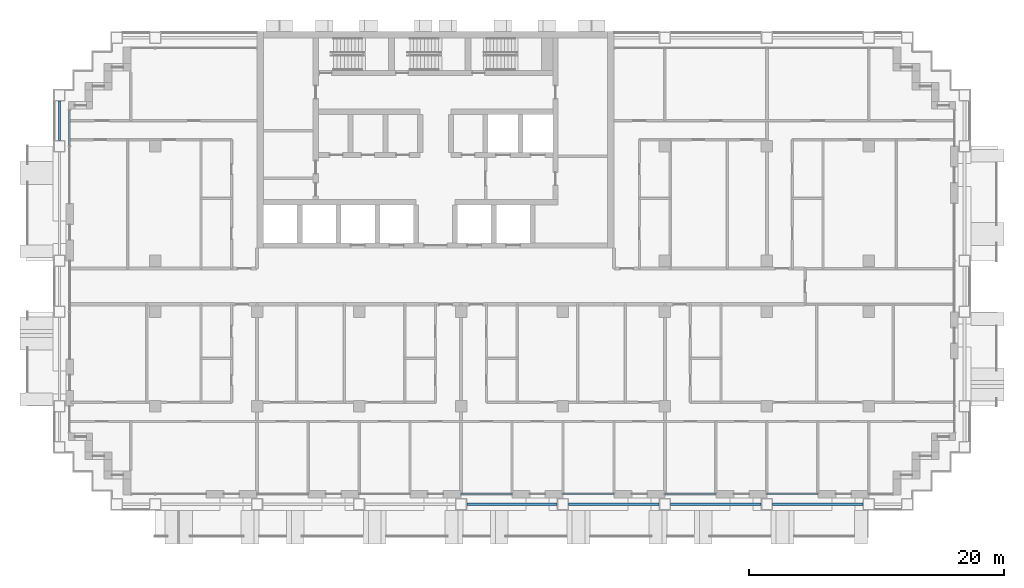
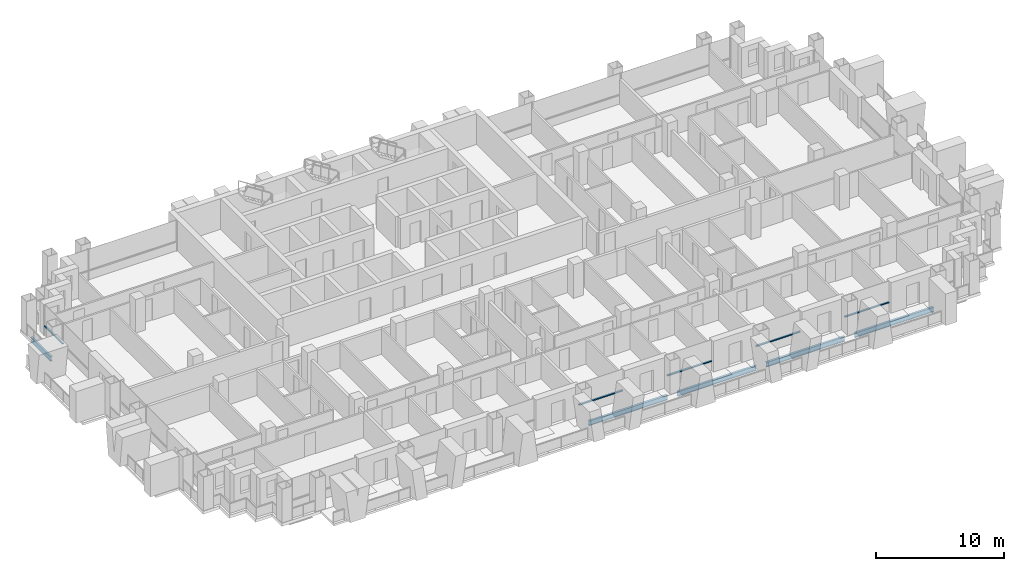
# One storey, part 3 of 18: 5 beams, 5 members, 5 elements without a shape of their own.
"""IFC4 building model written with IfcOpenShell, lengths in metres."""

from ifc_helpers import new_model, si_unit, direction, frame, origin, origin_2d, place, context, subcontext, project, spatial, rectangle, i_section, extrude, material, material_profile, profile_set, type_object, element, aggregate, save


model = new_model("IFC4")

# Units and contexts
model_context = context("Model", 3, precision=1e-05, world=origin(), true_north=direction((0.0, 1.0)))
body_context = subcontext(model_context, "Body", "Model", "MODEL_VIEW")
ifc_project = project(units=[si_unit("LENGTHUNIT", "METRE"), si_unit("AREAUNIT", "SQUARE_METRE"), si_unit("VOLUMEUNIT", "CUBIC_METRE"), si_unit("PLANEANGLEUNIT", "RADIAN"), si_unit("MASSUNIT", "GRAM", prefix="KILO")], contexts=[model_context])

# Site, building, storey
site_placement = place(None, origin())
site = spatial("IfcSite", under=ifc_project, at=site_placement, CompositionType="ELEMENT")
building_placement = place(site_placement, origin())
building = spatial("IfcBuilding", under=site, at=building_placement, Name="Vidyagriha Tower", CompositionType="ELEMENT")
storey_placement = place(building_placement, frame((0.0, 0.0, 90.300048828125)))
storey = spatial("IfcBuildingStorey", under=building, at=storey_placement, Name="L23", CompositionType="ELEMENT", Elevation=90.300048828125)

# Beams
ifc_material_1 = material(Name="Steel ASTM A992 Grade 50", Category="steel")
ifc_material_profile_1 = material_profile(ifc_material_1, i_section(OverallWidth=0.19189453125, OverallDepth=0.46240234375, WebThickness=0.010498046875, FlangeThickness=0.017578125, at=origin_2d()), Name="W18X60")
ifc_profile_set_1 = profile_set([ifc_material_profile_1], Name="Steel ASTM A992 Grade 50")
beam_type = type_object("IfcBeamType", Name="Edge beam W18X60", PredefinedType="SPANDREL", material=ifc_profile_set_1)
for number, where, z_axis, x_axis, name in (
    (1, (2.449951171875, -17.10009765625, -0.51123046875), (1.0, 0.0, 0.0), (0.0, 1.0, 0.0), "st-beam-L23-S05"),
    (2, (10.449951171875, -17.10009765625, -0.51123046875), (1.0, 0.0, 0.0), (0.0, 1.0, 0.0), "st-beam-L23-S06"),
    (3, (18.449951171875, -17.10009765625, -0.51123046875), (1.0, 0.0, 0.0), (0.0, 1.0, 0.0), "st-beam-L23-S07"),
    (4, (26.449951171875, -17.10009765625, -0.51123046875), (1.0, 0.0, 0.0), (0.0, 1.0, 0.0), "st-beam-L23-S08"),
):
    element("IfcBeam", number, at=place(storey_placement, frame(where, z_axis=z_axis, x_axis=x_axis)), inside=storey, type_object=beam_type, Name=name, PredefinedType="SPANDREL", context=body_context, shape_type="SweptSolid", body=[
        extrude(i_section(OverallWidth=0.19189453125, OverallDepth=0.46240234375, WebThickness=0.010498046875, FlangeThickness=0.017578125, at=origin_2d()), origin(), (0.0, 0.0, 1.0), 7.10009765625),
    ])
beam_placement = place(storey_placement, frame((-29.5, 11.449951171875, -0.51123046875), z_axis=(0.0, 1.0, 0.0), x_axis=(-1.0, 0.0, 0.0)))
element("IfcBeam", 5, at=beam_placement, inside=storey, type_object=beam_type, Name="st-beam-L23-W14", PredefinedType="SPANDREL", context=body_context, shape_type="SweptSolid", body=[
    extrude(i_section(OverallWidth=0.19189453125, OverallDepth=0.46240234375, WebThickness=0.010498046875, FlangeThickness=0.017578125, at=origin_2d()), origin(), (0.0, 0.0, 1.0), 3.10009765625),
])

# Curtain wall, member
ifc_material_2 = material(Name="Aluminium and glass curtain wall", Category="aluminium")
curtain_wall_type = type_object("IfcCurtainWallType", Name="Dwelling skin unitised curtain wall", PredefinedType="USERDEFINED", material=ifc_material_2)
curtain_wall_1_placement = place(storey_placement, origin())
curtain_wall_1 = element("IfcCurtainWall", 6, at=curtain_wall_1_placement, inside=storey, type_object=curtain_wall_type, Name="CW1 dwelling skin", ObjectType="UNITISED", PredefinedType="USERDEFINED")
ifc_material_3 = material(Name="Aluminium black anodised", Category="aluminium")
ifc_material_profile_2 = material_profile(ifc_material_3, rectangle(XDim=0.159912109375, YDim=0.10009765625, at=origin_2d()), Name="Transom 100x160 black aluminium")
ifc_profile_set_2 = profile_set([ifc_material_profile_2], Name="Aluminium black anodised")
member_type = type_object("IfcMemberType", Name="Transom 100x160 black aluminium", PredefinedType="USERDEFINED", material=ifc_profile_set_2)
member_1_placement = place(storey_placement, frame((-28.699951171875, 13.830078125, 0.89990234375), z_axis=(0.0, -1.0, 0.0), x_axis=(1.0, 0.0, 0.0)))
member_1 = element("IfcMember", 7, at=member_1_placement, type_object=member_type, Name="CW1 transom 1.1", ObjectType="TRANSOM", PredefinedType="USERDEFINED", context=body_context, shape_type="SweptSolid", body=[
    extrude(rectangle(XDim=0.159912109375, YDim=0.10009765625, at=origin_2d()), origin(), (0.0, 0.0, 1.0), 2.795166015625),
])
aggregate(curtain_wall_1, [member_1])

curtain_wall_2_placement = place(storey_placement, origin())
curtain_wall_2 = element("IfcCurtainWall", 8, at=curtain_wall_2_placement, inside=storey, type_object=curtain_wall_type, Name="CW1 dwelling skin", ObjectType="UNITISED", PredefinedType="USERDEFINED")
member_2_placement = place(storey_placement, frame((2.0, -16.300048828125, 0.89990234375), z_axis=(1.0, 0.0, 0.0), x_axis=(0.0, 1.0, 0.0)))
member_2 = element("IfcMember", 9, at=member_2_placement, type_object=member_type, Name="CW1 transom 1.1", ObjectType="TRANSOM", PredefinedType="USERDEFINED", context=body_context, shape_type="SweptSolid", body=[
    extrude(rectangle(XDim=0.159912109375, YDim=0.10009765625, at=origin_2d()), origin(), (0.0, 0.0, 1.0), 4.0),
])
aggregate(curtain_wall_2, [member_2])

curtain_wall_3_placement = place(storey_placement, origin())
curtain_wall_3 = element("IfcCurtainWall", 10, at=curtain_wall_3_placement, inside=storey, type_object=curtain_wall_type, Name="CW1 dwelling skin", ObjectType="UNITISED", PredefinedType="USERDEFINED")
member_3_placement = place(storey_placement, frame((10.0, -16.300048828125, 0.89990234375), z_axis=(1.0, 0.0, 0.0), x_axis=(0.0, 1.0, 0.0)))
member_3 = element("IfcMember", 11, at=member_3_placement, type_object=member_type, Name="CW1 transom 1.1", ObjectType="TRANSOM", PredefinedType="USERDEFINED", context=body_context, shape_type="SweptSolid", body=[
    extrude(rectangle(XDim=0.159912109375, YDim=0.10009765625, at=origin_2d()), origin(), (0.0, 0.0, 1.0), 4.0),
])
aggregate(curtain_wall_3, [member_3])

curtain_wall_4_placement = place(storey_placement, origin())
curtain_wall_4 = element("IfcCurtainWall", 12, at=curtain_wall_4_placement, inside=storey, type_object=curtain_wall_type, Name="CW1 dwelling skin", ObjectType="UNITISED", PredefinedType="USERDEFINED")
member_4_placement = place(storey_placement, frame((18.0, -16.300048828125, 0.89990234375), z_axis=(1.0, 0.0, 0.0), x_axis=(0.0, 1.0, 0.0)))
member_4 = element("IfcMember", 13, at=member_4_placement, type_object=member_type, Name="CW1 transom 1.1", ObjectType="TRANSOM", PredefinedType="USERDEFINED", context=body_context, shape_type="SweptSolid", body=[
    extrude(rectangle(XDim=0.159912109375, YDim=0.10009765625, at=origin_2d()), origin(), (0.0, 0.0, 1.0), 4.0),
])
aggregate(curtain_wall_4, [member_4])

curtain_wall_5_placement = place(storey_placement, origin())
curtain_wall_5 = element("IfcCurtainWall", 14, at=curtain_wall_5_placement, inside=storey, type_object=curtain_wall_type, Name="CW1 dwelling skin", ObjectType="UNITISED", PredefinedType="USERDEFINED")
member_5_placement = place(storey_placement, frame((26.0, -16.300048828125, 0.89990234375), z_axis=(1.0, 0.0, 0.0), x_axis=(0.0, 1.0, 0.0)))
member_5 = element("IfcMember", 15, at=member_5_placement, type_object=member_type, Name="CW1 transom 1.1", ObjectType="TRANSOM", PredefinedType="USERDEFINED", context=body_context, shape_type="SweptSolid", body=[
    extrude(rectangle(XDim=0.159912109375, YDim=0.10009765625, at=origin_2d()), origin(), (0.0, 0.0, 1.0), 4.0),
])
aggregate(curtain_wall_5, [member_5])

save(model, "model.ifc")
